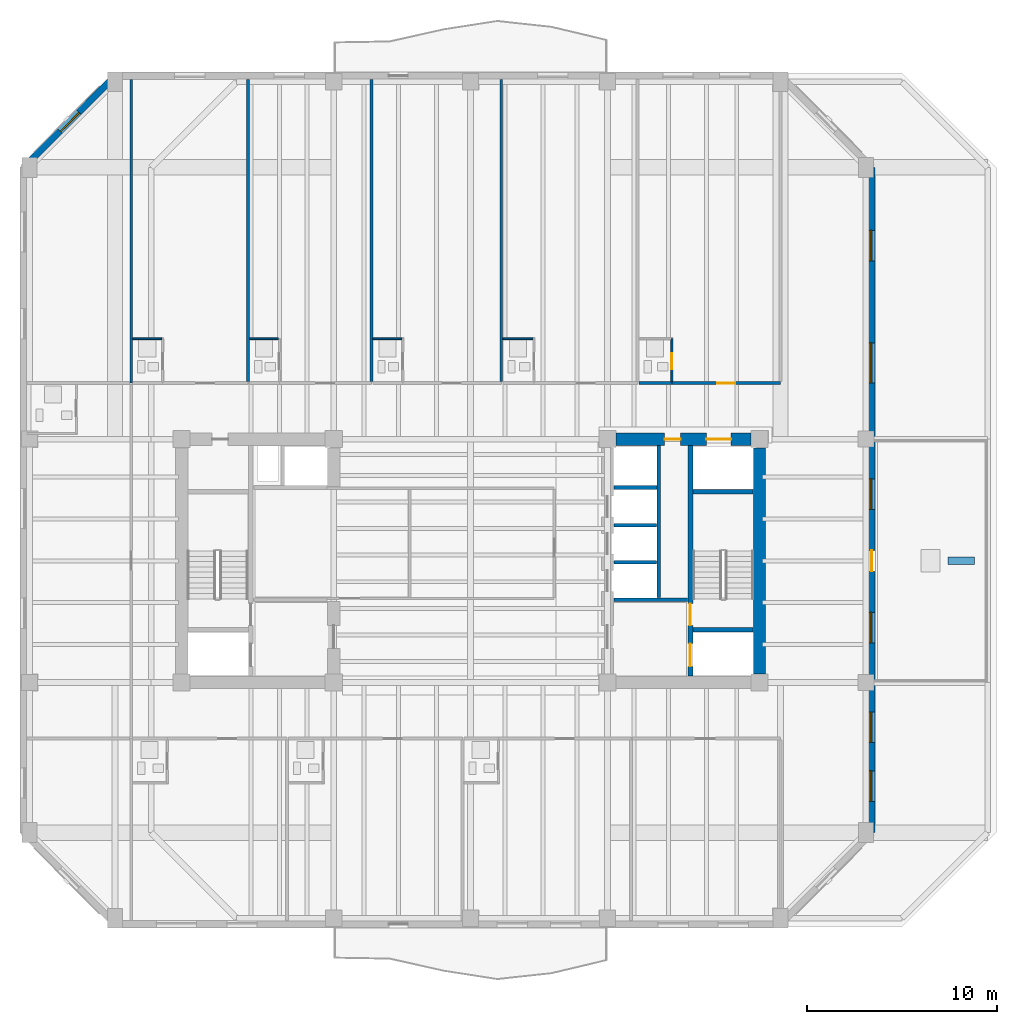
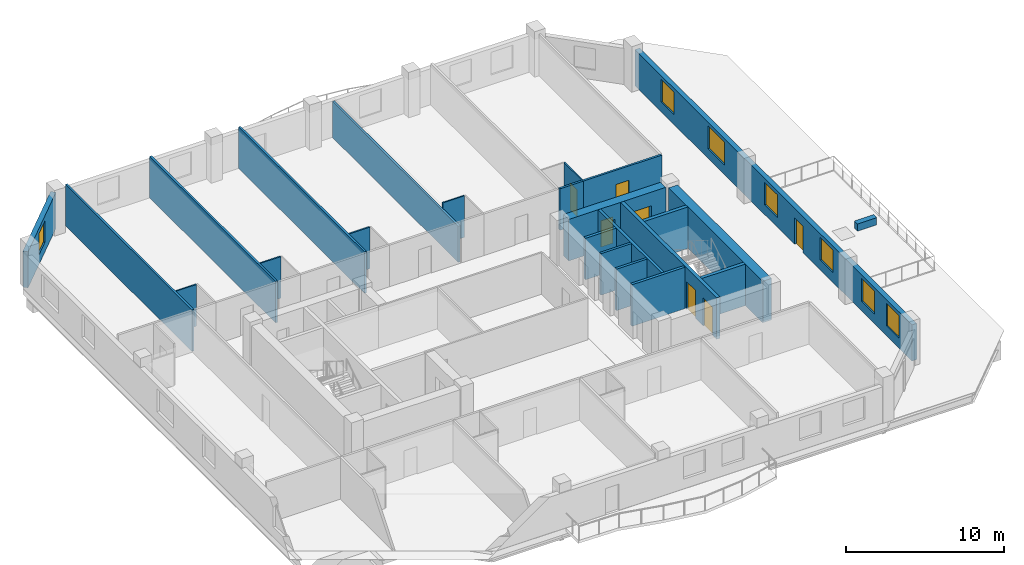
# One storey, part 5 of 11: 24 walls, 7 doors, 7 windows, 14 openings.
"""IFC4 building model written with IfcOpenShell, lengths in metres."""

from ifc_helpers import new_model, si_unit, direction, frame, frame_2d, origin, place, context, subcontext, project, spatial, rectangle, extrude, material, layer, layer_set, type_object, element, fill, save


model = new_model("IFC4")

# Units and contexts
model_context = context("Model", 3, precision=1e-05, world=origin(), true_north=direction((0.0, 1.0)))
body_context = subcontext(model_context, "Body", "Model", "MODEL_VIEW")
ifc_project = project(units=[si_unit("LENGTHUNIT", "METRE"), si_unit("AREAUNIT", "SQUARE_METRE"), si_unit("VOLUMEUNIT", "CUBIC_METRE"), si_unit("PLANEANGLEUNIT", "RADIAN"), si_unit("MASSUNIT", "GRAM", prefix="KILO")], contexts=[model_context])

# Site, building, storey
site_placement = place(None, origin())
site = spatial("IfcSite", under=ifc_project, at=site_placement, CompositionType="ELEMENT")
building_placement = place(site_placement, origin())
building = spatial("IfcBuilding", under=site, at=building_placement, Name="Kranthara Brick Stack", CompositionType="ELEMENT")
storey_placement = place(building_placement, frame((0.0, 0.0, 183.300048828125)))
storey = spatial("IfcBuildingStorey", under=building, at=storey_placement, Name="L47", CompositionType="ELEMENT", Elevation=183.300048828125)

# Wall, opening, window
ifc_material_1 = material(Name="Kiln-fired clay brick masonry M15", Category="masonry")
ifc_layer_1 = layer(ifc_material_1, 0.35009765625)
ifc_layer_set_1 = layer_set([ifc_layer_1], Name="Kiln-fired clay brick masonry M15")
wall_type_1 = type_object("IfcWallType", Name="WL-BRK-SPND-350", PredefinedType="STANDARD", material=ifc_layer_set_1)
wall_1_placement = place(storey_placement, frame((4.4951171875, 47.89990234375, 0.0), z_axis=(0.0, 0.0, 1.0), x_axis=(0.707088817216, 0.7071247447, 0.0)))
wall_1 = element("IfcWall", 1, at=wall_1_placement, inside=storey, type_object=wall_type_1, Name="L47 Exterior Brick Facade Wall NW 1", PredefinedType="STANDARD", context=body_context, shape_type="SweptSolid", body=[
    extrude(rectangle(XDim=6.79541015625, YDim=0.35009765625, at=frame_2d((3.397705078125, 0.0))), origin(), (0.0, 0.0, 1.0), 2.784912109375),
])
opening_1_placement = place(wall_1_placement, frame((2.697998046875, 0.0, 0.75)))
opening_1 = element("IfcOpeningElement", 2, at=opening_1_placement, cuts=wall_1, Name="Opening WN10", PredefinedType="OPENING", context=body_context, shape_type="SweptSolid", body=[
    extrude(rectangle(XDim=1.39990234375, YDim=1.64990234375, at=frame_2d((0.699951171875, 0.824951171875))), frame((0.0, 0.18505859375, 0.0), z_axis=(0.0, -1.0, 0.0), x_axis=(1.0, 0.0, 0.0)), (0.0, 0.0, 1.0), 0.3701171875),
])
ifc_material_2 = material(Name="Double-glazed low-E solar control glass", Category="glass")
window_type_1 = type_object("IfcWindowType", Name="WN-CHM-1400x1750", PartitioningType="SINGLE_PANEL", PredefinedType="WINDOW", material=ifc_material_2)
window_1_placement = place(opening_1_placement, origin())
window_1 = element("IfcWindow", 3, at=window_1_placement, inside=storey, type_object=window_type_1, Name="L47 NW Chamfer Corner Window", OverallHeight=1.64990234375, OverallWidth=1.39990234375, PartitioningType="SINGLE_PANEL", PredefinedType="WINDOW", context=body_context, shape_type="SweptSolid", body=[
    extrude(rectangle(XDim=1.39990234375, YDim=1.64990234375, at=frame_2d((0.699951171875, 0.824951171875))), frame((0.0, -0.010009765625, 0.0), z_axis=(0.0, -1.0, 0.0), x_axis=(1.0, 0.0, 0.0)), (0.0, 0.0, 1.0), 0.06005859375),
])
fill(opening_1, window_1)

# Wall, openings, door, windows
wall_2_placement = place(storey_placement, frame((49.10498046875, 47.89990234375, 0.0), z_axis=(0.0, 0.0, 1.0), x_axis=(0.0, -1.0, 0.0)))
wall_2 = element("IfcWall", 4, at=wall_2_placement, inside=storey, type_object=wall_type_1, Name="L47 Exterior Brick Facade Wall EAST 1", PredefinedType="STANDARD", context=body_context, shape_type="SweptSolid", body=[
    extrude(rectangle(XDim=35.0, YDim=0.35009765625, at=frame_2d((17.5, 0.0))), origin(), (0.0, 0.0, 1.0), 2.784912109375),
])
opening_2_placement = place(wall_2_placement, frame((20.14990234375, 0.0, 0.0)))
opening_2 = element("IfcOpeningElement", 5, at=opening_2_placement, cuts=wall_2, Name="Opening D02", PredefinedType="OPENING", context=body_context, shape_type="SweptSolid", body=[
    extrude(rectangle(XDim=1.10009765625, YDim=2.050048828125, at=frame_2d((0.550048828125, 1.02490234375))), frame((0.0, 0.18505859375, 0.0), z_axis=(0.0, -1.0, 0.0), x_axis=(1.0, 0.0, 0.0)), (0.0, 0.0, 1.0), 0.3701171875),
])
opening_3_placement = place(wall_2_placement, frame((3.31591796875, 0.0, 0.75)))
opening_3 = element("IfcOpeningElement", 6, at=opening_3_placement, cuts=wall_2, Name="Opening WN04", PredefinedType="OPENING", context=body_context, shape_type="SweptSolid", body=[
    extrude(rectangle(XDim=1.60009765625, YDim=1.75, at=frame_2d((0.800048828125, 0.875))), frame((0.0, 0.18505859375, 0.0), z_axis=(0.0, -1.0, 0.0), x_axis=(1.0, 0.0, 0.0)), (0.0, 0.0, 1.0), 0.3701171875),
])
opening_4_placement = place(wall_2_placement, frame((9.23388671875, 0.0, 0.75)))
opening_4 = element("IfcOpeningElement", 7, at=opening_4_placement, cuts=wall_2, Name="Opening WN05", PredefinedType="OPENING", context=body_context, shape_type="SweptSolid", body=[
    extrude(rectangle(XDim=2.10009765625, YDim=1.75, at=frame_2d((1.050048828125, 0.875))), frame((0.0, 0.18505859375, 0.0), z_axis=(0.0, -1.0, 0.0), x_axis=(1.0, 0.0, 0.0)), (0.0, 0.0, 1.0), 0.3701171875),
])
opening_5_placement = place(wall_2_placement, frame((16.386962890625, 0.0, 0.75)))
opening_5 = element("IfcOpeningElement", 8, at=opening_5_placement, cuts=wall_2, Name="Opening WN04", PredefinedType="OPENING", context=body_context, shape_type="SweptSolid", body=[
    extrude(rectangle(XDim=1.60009765625, YDim=1.75, at=frame_2d((0.800048828125, 0.875))), frame((0.0, 0.18505859375, 0.0), z_axis=(0.0, -1.0, 0.0), x_axis=(1.0, 0.0, 0.0)), (0.0, 0.0, 1.0), 0.3701171875),
])
opening_6_placement = place(wall_2_placement, frame((23.412109375, 0.0, 0.75)))
opening_6 = element("IfcOpeningElement", 9, at=opening_6_placement, cuts=wall_2, Name="Opening WN04", PredefinedType="OPENING", context=body_context, shape_type="SweptSolid", body=[
    extrude(rectangle(XDim=1.60009765625, YDim=1.75, at=frame_2d((0.800048828125, 0.875))), frame((0.0, 0.18505859375, 0.0), z_axis=(0.0, -1.0, 0.0), x_axis=(1.0, 0.0, 0.0)), (0.0, 0.0, 1.0), 0.3701171875),
])
opening_7_placement = place(wall_2_placement, frame((28.652099609375, 0.0, 0.75)))
opening_7 = element("IfcOpeningElement", 10, at=opening_7_placement, cuts=wall_2, Name="Opening WN04", PredefinedType="OPENING", context=body_context, shape_type="SweptSolid", body=[
    extrude(rectangle(XDim=1.60009765625, YDim=1.75, at=frame_2d((0.800048828125, 0.875))), frame((0.0, 0.18505859375, 0.0), z_axis=(0.0, -1.0, 0.0), x_axis=(1.0, 0.0, 0.0)), (0.0, 0.0, 1.0), 0.3701171875),
])
opening_8_placement = place(wall_2_placement, frame((31.748046875, 0.0, 0.75)))
opening_8 = element("IfcOpeningElement", 11, at=opening_8_placement, cuts=wall_2, Name="Opening WN04", PredefinedType="OPENING", context=body_context, shape_type="SweptSolid", body=[
    extrude(rectangle(XDim=1.60009765625, YDim=1.75, at=frame_2d((0.800048828125, 0.875))), frame((0.0, 0.18505859375, 0.0), z_axis=(0.0, -1.0, 0.0), x_axis=(1.0, 0.0, 0.0)), (0.0, 0.0, 1.0), 0.3701171875),
])
ifc_material_3 = material(Name="Bronze anodised aluminium and laminated glass", Category="aluminium")
door_type_1 = type_object("IfcDoorType", Name="DR-TERR-1100", OperationType="NOTDEFINED", PredefinedType="DOOR", material=ifc_material_3)
door_1_placement = place(opening_2_placement, origin())
door_1 = element("IfcDoor", 12, at=door_1_placement, inside=storey, type_object=door_type_1, Name="L47 Planted Sky Garden Terrace Door", OperationType="SINGLE_SWING_LEFT", OverallHeight=2.050048828125, OverallWidth=1.10009765625, PredefinedType="DOOR", context=body_context, shape_type="SweptSolid", body=[
    extrude(rectangle(XDim=1.10009765625, YDim=2.050048828125, at=frame_2d((0.550048828125, 1.02490234375))), frame((0.0, 0.02490234375, 0.0), z_axis=(0.0, -1.0, 0.0), x_axis=(1.0, 0.0, 0.0)), (0.0, 0.0, 1.0), 0.050048828125),
])
fill(opening_2, door_1)
ifc_material_4 = material(Name="Double-glazed low-E solar control glass", Category="glass")
window_type_2 = type_object("IfcWindowType", Name="WN-HTL-1600x1850", PartitioningType="DOUBLE_PANEL_VERTICAL", PredefinedType="WINDOW", material=ifc_material_4)
window_2_placement = place(opening_3_placement, origin())
window_2 = element("IfcWindow", 13, at=window_2_placement, inside=storey, type_object=window_type_2, Name="L47 East Deep-Set Brick Window 01", OverallHeight=1.75, OverallWidth=1.60009765625, PartitioningType="SINGLE_PANEL", PredefinedType="WINDOW", context=body_context, shape_type="SweptSolid", body=[
    extrude(rectangle(XDim=1.60009765625, YDim=1.75, at=frame_2d((0.800048828125, 0.875))), frame((0.0, -0.010009765625, 0.0), z_axis=(0.0, -1.0, 0.0), x_axis=(1.0, 0.0, 0.0)), (0.0, 0.0, 1.0), 0.06005859375),
])
fill(opening_3, window_2)
window_3_placement = place(opening_5_placement, origin())
window_3 = element("IfcWindow", 14, at=window_3_placement, inside=storey, type_object=window_type_2, Name="L47 East Deep-Set Brick Window 03", OverallHeight=1.75, OverallWidth=1.60009765625, PartitioningType="SINGLE_PANEL", PredefinedType="WINDOW", context=body_context, shape_type="SweptSolid", body=[
    extrude(rectangle(XDim=1.60009765625, YDim=1.75, at=frame_2d((0.800048828125, 0.875))), frame((0.0, -0.010009765625, 0.0), z_axis=(0.0, -1.0, 0.0), x_axis=(1.0, 0.0, 0.0)), (0.0, 0.0, 1.0), 0.06005859375),
])
fill(opening_5, window_3)
window_4_placement = place(opening_6_placement, origin())
window_4 = element("IfcWindow", 15, at=window_4_placement, inside=storey, type_object=window_type_2, Name="L47 East Deep-Set Brick Window 04", OverallHeight=1.75, OverallWidth=1.60009765625, PartitioningType="SINGLE_PANEL", PredefinedType="WINDOW", context=body_context, shape_type="SweptSolid", body=[
    extrude(rectangle(XDim=1.60009765625, YDim=1.75, at=frame_2d((0.800048828125, 0.875))), frame((0.0, -0.010009765625, 0.0), z_axis=(0.0, -1.0, 0.0), x_axis=(1.0, 0.0, 0.0)), (0.0, 0.0, 1.0), 0.06005859375),
])
fill(opening_6, window_4)
window_5_placement = place(opening_7_placement, origin())
window_5 = element("IfcWindow", 16, at=window_5_placement, inside=storey, type_object=window_type_2, Name="L47 East Deep-Set Brick Window 05", OverallHeight=1.75, OverallWidth=1.60009765625, PartitioningType="SINGLE_PANEL", PredefinedType="WINDOW", context=body_context, shape_type="SweptSolid", body=[
    extrude(rectangle(XDim=1.60009765625, YDim=1.75, at=frame_2d((0.800048828125, 0.875))), frame((0.0, -0.010009765625, 0.0), z_axis=(0.0, -1.0, 0.0), x_axis=(1.0, 0.0, 0.0)), (0.0, 0.0, 1.0), 0.06005859375),
])
fill(opening_7, window_5)
window_6_placement = place(opening_8_placement, origin())
window_6 = element("IfcWindow", 17, at=window_6_placement, inside=storey, type_object=window_type_2, Name="L47 East Deep-Set Brick Window 06", OverallHeight=1.75, OverallWidth=1.60009765625, PartitioningType="SINGLE_PANEL", PredefinedType="WINDOW", context=body_context, shape_type="SweptSolid", body=[
    extrude(rectangle(XDim=1.60009765625, YDim=1.75, at=frame_2d((0.800048828125, 0.875))), frame((0.0, -0.010009765625, 0.0), z_axis=(0.0, -1.0, 0.0), x_axis=(1.0, 0.0, 0.0)), (0.0, 0.0, 1.0), 0.06005859375),
])
fill(opening_8, window_6)
ifc_material_5 = material(Name="Double-glazed low-E solar control glass", Category="glass")
window_type_3 = type_object("IfcWindowType", Name="WN-HTL-2100x1850", PartitioningType="DOUBLE_PANEL_VERTICAL", PredefinedType="WINDOW", material=ifc_material_5)
window_7_placement = place(opening_4_placement, origin())
window_7 = element("IfcWindow", 18, at=window_7_placement, inside=storey, type_object=window_type_3, Name="L47 East Deep-Set Brick Window 02", OverallHeight=1.75, OverallWidth=2.10009765625, PartitioningType="SINGLE_PANEL", PredefinedType="WINDOW", context=body_context, shape_type="SweptSolid", body=[
    extrude(rectangle(XDim=2.10009765625, YDim=1.75, at=frame_2d((1.050048828125, 0.875))), frame((0.0, -0.010009765625, 0.0), z_axis=(0.0, -1.0, 0.0), x_axis=(1.0, 0.0, 0.0)), (0.0, 0.0, 1.0), 0.06005859375),
])
fill(opening_4, window_7)

# Wall, openings, doors
ifc_material_6 = material(Name="Concrete C50/60", Category="concrete")
ifc_layer_2 = layer(ifc_material_6, 0.25)
ifc_layer_set_2 = layer_set([ifc_layer_2], Name="Concrete C50/60")
wall_type_2 = type_object("IfcWallType", Name="WL-CORE-250", PredefinedType="SHEAR", material=ifc_layer_set_2)
wall_3_placement = place(storey_placement, frame((39.56494140625, 21.135009765625, 0.0), z_axis=(0.0, 0.0, 1.0), x_axis=(0.0, 1.0, 0.0)))
wall_3 = element("IfcWall", 19, at=wall_3_placement, inside=storey, type_object=wall_type_2, Name="L47 East Core Stair Bearing Spine Wall", PredefinedType="SHEAR", context=body_context, shape_type="SweptSolid", body=[
    extrude(rectangle(XDim=12.1298828125, YDim=0.25, at=frame_2d((6.06494140625, 0.0))), origin(), (0.0, 0.0, 1.0), 3.199951171875),
])
opening_9_placement = place(wall_3_placement, frame((0.514892578125, 0.0, 0.0)))
opening_9 = element("IfcOpeningElement", 20, at=opening_9_placement, cuts=wall_3, Name="Opening LD01", PredefinedType="OPENING", context=body_context, shape_type="SweptSolid", body=[
    extrude(rectangle(XDim=1.199951171875, YDim=2.14990234375, at=frame_2d((0.60009765625, 1.074951171875))), frame((0.0, 0.135009765625, 0.0), z_axis=(0.0, -1.0, 0.0), x_axis=(1.0, 0.0, 0.0)), (0.0, 0.0, 1.0), 0.27001953125),
])
opening_10_placement = place(wall_3_placement, frame((2.6650390625, 0.0, 0.0)))
opening_10 = element("IfcOpeningElement", 21, at=opening_10_placement, cuts=wall_3, Name="Opening D05", PredefinedType="OPENING", context=body_context, shape_type="SweptSolid", body=[
    extrude(rectangle(XDim=1.14990234375, YDim=2.14990234375, at=frame_2d((0.574951171875, 1.074951171875))), frame((0.0, 0.135009765625, 0.0), z_axis=(0.0, -1.0, 0.0), x_axis=(1.0, 0.0, 0.0)), (0.0, 0.0, 1.0), 0.27001953125),
])
ifc_material_7 = material(Name="Stainless steel sliding landing door", Category="steel")
door_type_2 = type_object("IfcDoorType", Name="DR-LD-FF1200", OperationType="DOUBLE_DOOR_SLIDING", PredefinedType="DOOR", material=ifc_material_7)
door_2_placement = place(opening_9_placement, origin())
door_2 = element("IfcDoor", 22, at=door_2_placement, inside=storey, type_object=door_type_2, Name="L47 Firefighting Lift FF-02 Landing Door", OperationType="DOUBLE_DOOR_SLIDING", OverallHeight=2.14990234375, OverallWidth=1.199951171875, PredefinedType="DOOR", context=body_context, shape_type="SweptSolid", body=[
    extrude(rectangle(XDim=1.199951171875, YDim=2.14990234375, at=frame_2d((0.60009765625, 1.074951171875))), frame((0.0, 0.02490234375, 0.0), z_axis=(0.0, -1.0, 0.0), x_axis=(1.0, 0.0, 0.0)), (0.0, 0.0, 1.0), 0.050048828125),
])
fill(opening_9, door_2)
ifc_material_8 = material(Name="Solid-core hardwood timber leaf in steel frame", Category="steel")
door_type_3 = type_object("IfcDoorType", Name="DR-ST-1150", OperationType="NOTDEFINED", PredefinedType="DOOR", material=ifc_material_8)
door_3_placement = place(opening_10_placement, origin())
door_3 = element("IfcDoor", 23, at=door_3_placement, inside=storey, type_object=door_type_3, Name="L47 Exit Stair ST02 Door", OperationType="SINGLE_SWING_LEFT", OverallHeight=2.14990234375, OverallWidth=1.14990234375, PredefinedType="DOOR", context=body_context, shape_type="SweptSolid", body=[
    extrude(rectangle(XDim=1.14990234375, YDim=2.14990234375, at=frame_2d((0.574951171875, 1.074951171875))), frame((0.0, 0.02490234375, 0.0), z_axis=(0.0, -1.0, 0.0), x_axis=(1.0, 0.0, 0.0)), (0.0, 0.0, 1.0), 0.050048828125),
])
fill(opening_10, door_3)

# Walls
for number, where, z_axis, x_axis, name in (
    (24, (39.68994140625, 23.570068359375, 0.0), (0.0, 0.0, 1.0), (1.0, 0.0, 0.0), "L47 East Stairwell Bearing Wall EFF"),
    (25, (39.68994140625, 30.830078125, 0.0), (0.0, 0.0, 1.0), (1.0, 0.0, 0.0), "L47 East Stairwell Bearing Wall EST"),
):
    element("IfcWall", number, at=place(storey_placement, frame(where, z_axis=z_axis, x_axis=x_axis)), inside=storey, type_object=wall_type_2, Name=name, PredefinedType="SHEAR", context=body_context, shape_type="SweptSolid", body=[
        extrude(rectangle(XDim=3.175048828125, YDim=0.25, at=frame_2d((1.58740234375, 0.0))), origin(), (0.0, 0.0, 1.0), 3.199951171875),
    ])
ifc_material_9 = material(Name="Concrete C60/75", Category="concrete")
ifc_layer_3 = layer(ifc_material_9, 0.64990234375)
ifc_layer_set_3 = layer_set([ifc_layer_3], Name="Concrete C60/75")
wall_type_3 = type_object("IfcWallType", Name="WL-CORE-650", PredefinedType="SHEAR", material=ifc_layer_set_3)
wall_4_placement = place(storey_placement, frame((43.199951171875, 21.2548828125, 0.0), z_axis=(0.0, 0.0, 1.0), x_axis=(0.0, 1.0, 0.0)))
element("IfcWall", 26, at=wall_4_placement, inside=storey, type_object=wall_type_3, Name="L47 East Core Shear Wall East", PredefinedType="SHEAR", context=body_context, shape_type="SweptSolid", body=[
    extrude(rectangle(XDim=11.89013671875, YDim=0.64990234375, at=frame_2d((5.945068359375, 0.0))), origin(), (0.0, 0.0, 1.0), 3.199951171875),
])

# Wall, openings, doors
wall_5_placement = place(storey_placement, frame((35.655029296875, 33.60009765625, 0.0), z_axis=(0.0, 0.0, 1.0), x_axis=(1.0, 0.0, 0.0)))
wall_5 = element("IfcWall", 27, at=wall_5_placement, inside=storey, type_object=wall_type_3, Name="L47 East Core Shear Wall North", PredefinedType="SHEAR", context=body_context, shape_type="SweptSolid", body=[
    extrude(rectangle(XDim=7.090087890625, YDim=0.64990234375, at=frame_2d((3.544921875, 0.0))), origin(), (0.0, 0.0, 1.0), 3.199951171875),
])
opening_11_placement = place(wall_5_placement, frame((4.7451171875, 0.0, 0.0)))
opening_11 = element("IfcOpeningElement", 28, at=opening_11_placement, cuts=wall_5, Name="Opening LD03", PredefinedType="OPENING", context=body_context, shape_type="SweptSolid", body=[
    extrude(rectangle(XDim=1.300048828125, YDim=2.14990234375, at=frame_2d((0.64990234375, 1.074951171875))), frame((0.0, 0.3349609375, 0.0), z_axis=(0.0, -1.0, 0.0), x_axis=(1.0, 0.0, 0.0)), (0.0, 0.0, 1.0), 0.669921875),
])
opening_12_placement = place(wall_5_placement, frame((2.544921875, 0.0, 0.0)))
opening_12 = element("IfcOpeningElement", 29, at=opening_12_placement, cuts=wall_5, Name="Opening D10", PredefinedType="OPENING", context=body_context, shape_type="SweptSolid", body=[
    extrude(rectangle(XDim=0.85009765625, YDim=2.02001953125, at=frame_2d((0.425048828125, 1.010009765625))), frame((0.0, 0.3349609375, 0.0), z_axis=(0.0, -1.0, 0.0), x_axis=(1.0, 0.0, 0.0)), (0.0, 0.0, 1.0), 0.669921875),
])
ifc_material_10 = material(Name="Stainless steel sliding landing door", Category="steel")
door_type_4 = type_object("IfcDoorType", Name="DR-LD-SV1300", OperationType="DOUBLE_DOOR_SLIDING", PredefinedType="DOOR", material=ifc_material_10)
door_4_placement = place(opening_11_placement, origin())
door_4 = element("IfcDoor", 30, at=door_4_placement, inside=storey, type_object=door_type_4, Name="L47 Stretcher Service Lift SV-01 Landing Door", OperationType="DOUBLE_DOOR_SLIDING", OverallHeight=2.14990234375, OverallWidth=1.300048828125, PredefinedType="DOOR", context=body_context, shape_type="SweptSolid", body=[
    extrude(rectangle(XDim=1.300048828125, YDim=2.14990234375, at=frame_2d((0.64990234375, 1.074951171875))), frame((0.0, 0.02490234375, 0.0), z_axis=(0.0, -1.0, 0.0), x_axis=(1.0, 0.0, 0.0)), (0.0, 0.0, 1.0), 0.050048828125),
])
fill(opening_11, door_4)
ifc_material_11 = material(Name="Solid-core hardwood timber leaf in steel frame", Category="steel")
door_type_5 = type_object("IfcDoorType", Name="DR-RSR-850", OperationType="NOTDEFINED", PredefinedType="DOOR", material=ifc_material_11)
door_5_placement = place(opening_12_placement, origin())
door_5 = element("IfcDoor", 31, at=door_5_placement, inside=storey, type_object=door_type_5, Name="L47 East Core Service Room Door", OperationType="SINGLE_SWING_LEFT", OverallHeight=2.02001953125, OverallWidth=0.85009765625, PredefinedType="DOOR", context=body_context, shape_type="SweptSolid", body=[
    extrude(rectangle(XDim=0.85009765625, YDim=2.02001953125, at=frame_2d((0.425048828125, 1.010009765625))), frame((0.0, 0.02490234375, 0.0), z_axis=(0.0, -1.0, 0.0), x_axis=(1.0, 0.0, 0.0)), (0.0, 0.0, 1.0), 0.050048828125),
])
fill(opening_12, door_5)

# Walls
ifc_material_12 = material(Name="Moisture-resistant wet-room partition", Category="other")
ifc_layer_4 = layer(ifc_material_12, 0.10009765625)
ifc_layer_set_4 = layer_set([ifc_layer_4], Name="Moisture-resistant wet-room partition")
wall_type_4 = type_object("IfcWallType", Name="WL-PART-100", PredefinedType="PARTITIONING", material=ifc_layer_set_4)
for number, where, z_axis, x_axis, name in (
    (32, (10.22998046875, 38.8798828125, 0.0), (0.0, 0.0, 1.0), (1.0, 0.0, 0.0), "L47 Interior Partition 027"),
    (33, (16.376953125, 38.8798828125, 0.0), (0.0, 0.0, 1.0), (1.0, 0.0, 0.0), "L47 Interior Partition 032"),
):
    element("IfcWall", number, at=place(storey_placement, frame(where, z_axis=z_axis, x_axis=x_axis)), inside=storey, type_object=wall_type_4, Name=name, PredefinedType="PARTITIONING", context=body_context, shape_type="SweptSolid", body=[
        extrude(rectangle(XDim=1.51513671875, YDim=0.10009765625, at=frame_2d((0.757568359375, 0.0))), origin(), (0.0, 0.0, 1.0), 3.199951171875),
    ])
wall_6_placement = place(storey_placement, frame((22.864990234375, 38.8798828125, 0.0), z_axis=(0.0, 0.0, 1.0), x_axis=(1.0, 0.0, 0.0)))
element("IfcWall", 34, at=wall_6_placement, inside=storey, type_object=wall_type_4, Name="L47 Interior Partition 037", PredefinedType="PARTITIONING", context=body_context, shape_type="SweptSolid", body=[
    extrude(rectangle(XDim=1.514892578125, YDim=0.10009765625, at=frame_2d((0.75732421875, 0.0))), origin(), (0.0, 0.0, 1.0), 3.199951171875),
])
wall_7_placement = place(storey_placement, frame((29.695068359375, 38.8798828125, 0.0), z_axis=(0.0, 0.0, 1.0), x_axis=(1.0, 0.0, 0.0)))
element("IfcWall", 35, at=wall_7_placement, inside=storey, type_object=wall_type_4, Name="L47 Interior Partition 042", PredefinedType="PARTITIONING", context=body_context, shape_type="SweptSolid", body=[
    extrude(rectangle(XDim=1.586181640625, YDim=0.10009765625, at=frame_2d((0.79296875, 0.0))), origin(), (0.0, 0.0, 1.0), 3.199951171875),
])

# Wall, opening, door
wall_8_placement = place(storey_placement, frame((38.590087890625, 36.6298828125, 0.0), z_axis=(0.0, 0.0, 1.0), x_axis=(0.0, 1.0, 0.0)))
wall_8 = element("IfcWall", 36, at=wall_8_placement, inside=storey, type_object=wall_type_4, Name="L47 Interior Partition 046", PredefinedType="PARTITIONING", context=body_context, shape_type="SweptSolid", body=[
    extrude(rectangle(XDim=2.25, YDim=0.10009765625, at=frame_2d((1.125, 0.0))), origin(), (0.0, 0.0, 1.0), 3.199951171875),
])
opening_13_placement = place(wall_8_placement, frame((0.639892578125, 0.0, 0.0)))
opening_13 = element("IfcOpeningElement", 37, at=opening_13_placement, cuts=wall_8, Name="Opening D17", PredefinedType="OPENING", context=body_context, shape_type="SweptSolid", body=[
    extrude(rectangle(XDim=0.85009765625, YDim=2.050048828125, at=frame_2d((0.425048828125, 1.02490234375))), frame((0.0, 0.06005859375, 0.0), z_axis=(0.0, -1.0, 0.0), x_axis=(1.0, 0.0, 0.0)), (0.0, 0.0, 1.0), 0.1201171875),
])
ifc_material_13 = material(Name="Solid-core hardwood timber leaf in steel frame", Category="steel")
door_type_6 = type_object("IfcDoorType", Name="DR-WET-850", OperationType="NOTDEFINED", PredefinedType="DOOR", material=ifc_material_13)
door_6_placement = place(opening_13_placement, origin())
door_6 = element("IfcDoor", 38, at=door_6_placement, inside=storey, type_object=door_type_6, Name="L47 Key 09 En-Suite Door 18", OperationType="SINGLE_SWING_RIGHT", OverallHeight=2.050048828125, OverallWidth=0.85009765625, PredefinedType="DOOR", context=body_context, shape_type="SweptSolid", body=[
    extrude(rectangle(XDim=0.85009765625, YDim=2.050048828125, at=frame_2d((0.425048828125, 1.02490234375))), frame((0.0, 0.02490234375, 0.0), z_axis=(0.0, -1.0, 0.0), x_axis=(1.0, 0.0, 0.0)), (0.0, 0.0, 1.0), 0.050048828125),
])
fill(opening_13, door_6)

# Walls
ifc_material_14 = material(Name="Fire-rated gypsum board partition", Category="other")
ifc_layer_5 = layer(ifc_material_14, 0.14990234375)
ifc_layer_set_5 = layer_set([ifc_layer_5], Name="Fire-rated gypsum board partition")
wall_type_5 = type_object("IfcWallType", Name="WL-PART-150", PredefinedType="PARTITIONING", material=ifc_layer_set_5)
wall_9_placement = place(storey_placement, frame((10.14990234375, 36.550048828125, 0.0), z_axis=(0.0, 0.0, 1.0), x_axis=(0.0, 1.0, 0.0)))
element("IfcWall", 39, at=wall_9_placement, inside=storey, type_object=wall_type_5, Name="L47 Interior Partition 023", PredefinedType="PARTITIONING", context=body_context, shape_type="SweptSolid", body=[
    extrude(rectangle(XDim=15.974853515625, YDim=0.14990234375, at=frame_2d((7.9873046875, 0.0))), origin(), (0.0, 0.0, 1.0), 3.199951171875),
])
for number, where, z_axis, x_axis, name in (
    (40, (16.297119140625, 36.6298828125, 0.0), (0.0, 0.0, 1.0), (0.0, 1.0, 0.0), "L47 Interior Partition 028"),
    (41, (22.784912109375, 36.6298828125, 0.0), (0.0, 0.0, 1.0), (0.0, 1.0, 0.0), "L47 Interior Partition 033"),
):
    element("IfcWall", number, at=place(storey_placement, frame(where, z_axis=z_axis, x_axis=x_axis)), inside=storey, type_object=wall_type_5, Name=name, PredefinedType="PARTITIONING", context=body_context, shape_type="SweptSolid", body=[
        extrude(rectangle(XDim=15.89501953125, YDim=0.14990234375, at=frame_2d((7.947509765625, 0.0))), origin(), (0.0, 0.0, 1.0), 3.199951171875),
    ])
wall_10_placement = place(storey_placement, frame((29.614990234375, 36.6298828125, 0.0), z_axis=(0.0, 0.0, 1.0), x_axis=(0.0, 1.0, 0.0)))
element("IfcWall", 42, at=wall_10_placement, inside=storey, type_object=wall_type_5, Name="L47 Interior Partition 038", PredefinedType="PARTITIONING", context=body_context, shape_type="SweptSolid", body=[
    extrude(rectangle(XDim=15.89501953125, YDim=0.14990234375, at=frame_2d((7.947509765625, 0.0))), origin(), (0.0, 0.0, 1.0), 2.784912109375),
])
wall_11_placement = place(storey_placement, frame((36.866943359375, 36.550048828125, 0.0), z_axis=(0.0, 0.0, 1.0), x_axis=(1.0, 0.0, 0.0)))
element("IfcWall", 43, at=wall_11_placement, inside=storey, type_object=wall_type_5, Name="L47 Interior Partition 044", PredefinedType="PARTITIONING", context=body_context, shape_type="SweptSolid", body=[
    extrude(rectangle(XDim=1.72314453125, YDim=0.14990234375, at=frame_2d((0.861572265625, 0.0))), origin(), (0.0, 0.0, 1.0), 3.199951171875),
])

# Wall, opening, door
wall_12_placement = place(storey_placement, frame((38.590087890625, 36.550048828125, 0.0), z_axis=(0.0, 0.0, 1.0), x_axis=(1.0, 0.0, 0.0)))
wall_12 = element("IfcWall", 44, at=wall_12_placement, inside=storey, type_object=wall_type_5, Name="L47 Interior Partition 045", PredefinedType="PARTITIONING", context=body_context, shape_type="SweptSolid", body=[
    extrude(rectangle(XDim=5.7099609375, YDim=0.14990234375, at=frame_2d((2.85498046875, 0.0))), origin(), (0.0, 0.0, 1.0), 3.199951171875),
])
opening_14_placement = place(wall_12_placement, frame((2.375, 0.0, 0.0)))
opening_14 = element("IfcOpeningElement", 45, at=opening_14_placement, cuts=wall_12, Name="Opening D09", PredefinedType="OPENING", context=body_context, shape_type="SweptSolid", body=[
    extrude(rectangle(XDim=0.949951171875, YDim=2.10009765625, at=frame_2d((0.47509765625, 1.050048828125))), frame((0.0, 0.0849609375, 0.0), z_axis=(0.0, -1.0, 0.0), x_axis=(1.0, 0.0, 0.0)), (0.0, 0.0, 1.0), 0.169921875),
])
ifc_material_15 = material(Name="Solid-core hardwood timber leaf in steel frame", Category="steel")
door_type_7 = type_object("IfcDoorType", Name="DR-FD-950", OperationType="NOTDEFINED", PredefinedType="DOOR", material=ifc_material_15)
door_7_placement = place(opening_14_placement, origin())
door_7 = element("IfcDoor", 46, at=door_7_placement, inside=storey, type_object=door_type_7, Name="L47 Key 09 Entry 19", OperationType="SINGLE_SWING_LEFT", OverallHeight=2.10009765625, OverallWidth=0.949951171875, PredefinedType="DOOR", context=body_context, shape_type="SweptSolid", body=[
    extrude(rectangle(XDim=0.949951171875, YDim=2.10009765625, at=frame_2d((0.47509765625, 1.050048828125))), frame((0.0, 0.02490234375, 0.0), z_axis=(0.0, -1.0, 0.0), x_axis=(1.0, 0.0, 0.0)), (0.0, 0.0, 1.0), 0.050048828125),
])
fill(opening_14, door_7)

# Walls
ifc_material_16 = material(Name="Gypsum plasterboard on acoustic twin stud", Category="other")
ifc_layer_6 = layer(ifc_material_16, 0.179931640625)
ifc_layer_set_6 = layer_set([ifc_layer_6], Name="Gypsum plasterboard on acoustic twin stud")
wall_type_6 = type_object("IfcWallType", Name="WL-PART-180", PredefinedType="PARTITIONING", material=ifc_layer_set_6)
for number, where, z_axis, x_axis, name in (
    (47, (35.534912109375, 27.1201171875, 0.0), (0.0, 0.0, 1.0), (1.0, 0.0, 0.0), "L47 East Hoistway Wall EH1"),
    (48, (35.534912109375, 29.080078125, 0.0), (0.0, 0.0, 1.0), (1.0, 0.0, 0.0), "L47 East Hoistway Wall EH2"),
):
    element("IfcWall", number, at=place(storey_placement, frame(where, z_axis=z_axis, x_axis=x_axis)), inside=storey, type_object=wall_type_6, Name=name, PredefinedType="PARTITIONING", context=body_context, shape_type="SweptSolid", body=[
        extrude(rectangle(XDim=2.2451171875, YDim=0.179931640625, at=frame_2d((1.12255859375, 0.0))), origin(), (0.0, 0.0, 1.0), 3.199951171875),
    ])
ifc_material_17 = material(Name="Concrete C40/50", Category="concrete")
ifc_layer_7 = layer(ifc_material_17, 0.199951171875)
ifc_layer_set_7 = layer_set([ifc_layer_7], Name="Concrete C40/50")
wall_type_7 = type_object("IfcWallType", Name="WL-PART-200", PredefinedType="SOLIDWALL", material=ifc_layer_set_7)
wall_13_placement = place(storey_placement, frame((35.534912109375, 25.14990234375, 0.0), z_axis=(0.0, 0.0, 1.0), x_axis=(1.0, 0.0, 0.0)))
element("IfcWall", 49, at=wall_13_placement, inside=storey, type_object=wall_type_7, Name="L47 East Core Cross Wall EFL", PredefinedType="SOLIDWALL", context=body_context, shape_type="SweptSolid", body=[
    extrude(rectangle(XDim=3.864990234375, YDim=0.199951171875, at=frame_2d((1.9326171875, 0.0))), origin(), (0.0, 0.0, 1.0), 3.199951171875),
])
wall_14_placement = place(storey_placement, frame((35.550048828125, 31.050048828125, 0.0), z_axis=(0.0, 0.0, 1.0), x_axis=(1.0, 0.0, 0.0)))
element("IfcWall", 50, at=wall_14_placement, inside=storey, type_object=wall_type_7, Name="L47 East Core Cross Wall EE4", PredefinedType="SOLIDWALL", context=body_context, shape_type="SweptSolid", body=[
    extrude(rectangle(XDim=2.25, YDim=0.199951171875, at=frame_2d((1.125, 0.0))), origin(), (0.0, 0.0, 1.0), 3.199951171875),
])
wall_15_placement = place(storey_placement, frame((37.89990234375, 25.27001953125, 0.0), z_axis=(0.0, 0.0, 1.0), x_axis=(0.0, 1.0, 0.0)))
element("IfcWall", 51, at=wall_15_placement, inside=storey, type_object=wall_type_7, Name="L47 East Core Cross Wall ESV", PredefinedType="SOLIDWALL", context=body_context, shape_type="SweptSolid", body=[
    extrude(rectangle(XDim=7.994873046875, YDim=0.199951171875, at=frame_2d((3.99755859375, 0.0))), origin(), (0.0, 0.0, 1.0), 3.199951171875),
])
ifc_material_18 = material(Name="Precast concrete C40/50", Category="concrete")
ifc_layer_8 = layer(ifc_material_18, 0.219970703125)
ifc_layer_set_8 = layer_set([ifc_layer_8], Name="Precast concrete C40/50")
wall_type_8 = type_object("IfcWallType", Name="WL-PLN-KERB-220", PredefinedType="PARAPET", material=ifc_layer_set_8)
wall_16_placement = place(storey_placement, frame((53.10009765625, 27.199951171875, 0.0), z_axis=(0.0, 0.0, 1.0), x_axis=(1.0, 0.0, 0.0)))
element("IfcWall", 52, at=wall_16_placement, inside=storey, type_object=wall_type_8, Name="L47 Sky Garden Planted Planter Bed", PredefinedType="PARAPET", context=body_context, shape_type="SweptSolid", body=[
    extrude(rectangle(XDim=1.39990234375, YDim=0.39990234375, at=frame_2d((0.699951171875, 0.0))), origin(), (0.0, 0.0, 1.0), 0.550048828125),
])

save(model, "model.ifc")
